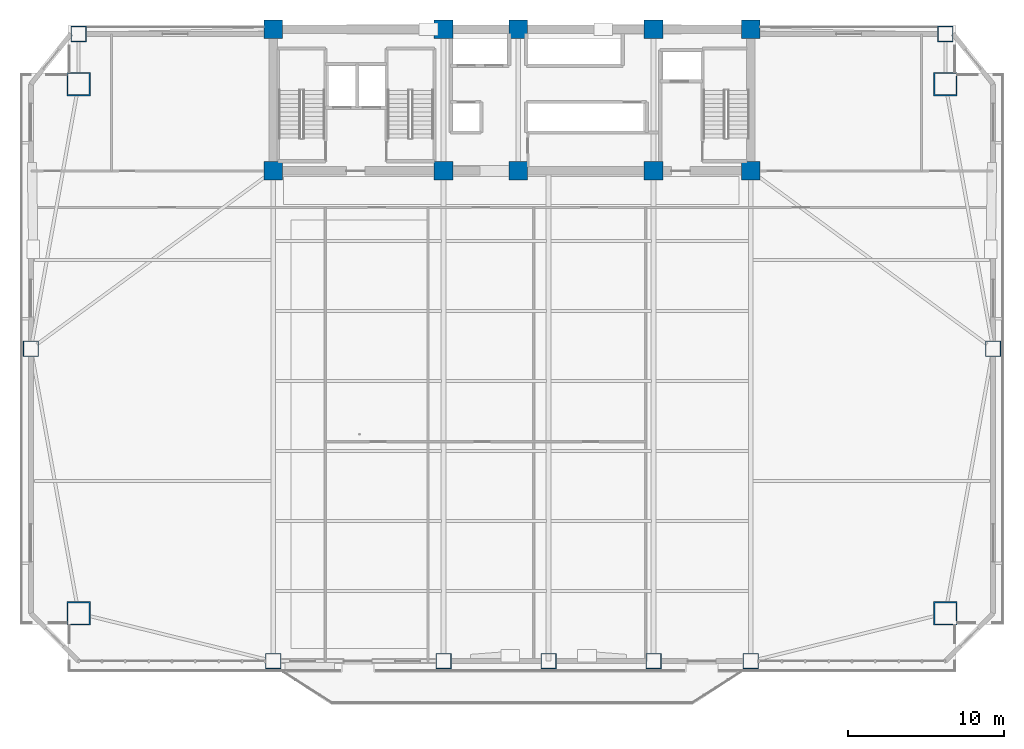
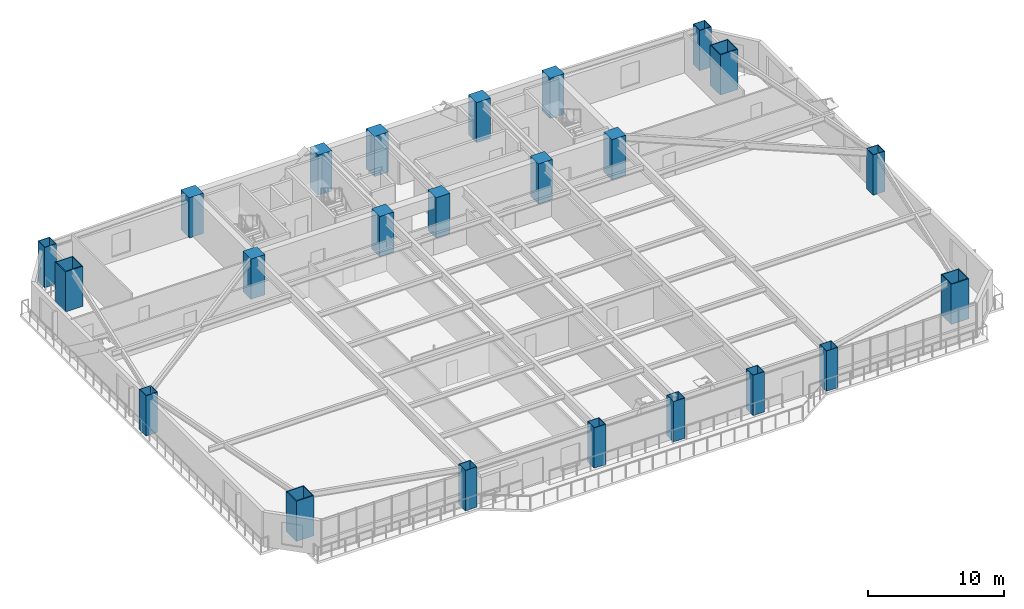
# One storey, part 1 of 16: 23 columns.
"""IFC4 building model written with IfcOpenShell, lengths in metres."""

import ifcopenshell
import ifcopenshell.guid

model = None  # the IFC model being written
_history = None  # IfcOwnerHistory: only IFC2X3 demands one
_inside = {}  # id of a spatial element -> (the spatial element, [elements in it])
_under = {}  # id of a project, library or spatial element -> (it, [spatial elements below it])
_declared = {}  # id of a project -> (the project, [libraries it declares])
_typed = {}  # id of a type object -> (the type object, [elements of that type])
_made_of = {}  # id of a material, layer set ... -> (it, [elements and type objects made of it])


def new_model(schema):
    """Start an empty IFC model of exactly this schema.

    Asked for "IFC4X3", IfcOpenShell would pick the latest addendum, in which some entities
    have other attributes; the version numbers below select the first issue.
    IFC2X3 requires an IfcOwnerHistory on every rooted entity: one is made here for all.
    """
    global model, _history
    if schema == "IFC4X3":
        model = ifcopenshell.file(schema_version=(4, 3, 0, 0))
    else:
        model = ifcopenshell.file(schema=schema)
    _inside.clear()
    _under.clear()
    _declared.clear()
    _typed.clear()
    _made_of.clear()
    _history = None
    if model.schema == "IFC2X3":
        org = make("IfcOrganization", Name="unknown")
        user = make(
            "IfcPersonAndOrganization",
            ThePerson=make("IfcPerson", FamilyName="unknown"),
            TheOrganization=org,
        )
        app = make(
            "IfcApplication",
            ApplicationDeveloper=org,
            Version="unknown",
            ApplicationFullName="unknown",
            ApplicationIdentifier="unknown",
        )
        _history = make(
            "IfcOwnerHistory",
            OwningUser=user,
            OwningApplication=app,
            ChangeAction="ADDED",
            CreationDate=0,
        )
    return model


def make(cls, **values):
    """One entity of the class cls with the attributes given. An attribute that is None is left unset."""
    return model.create_entity(
        cls, **{name: value for name, value in values.items() if value is not None}
    )


def rooted(cls, **values):
    """An entity with a GlobalId (a new one), such as an element, a storey or a relation."""
    return make(cls, GlobalId=ifcopenshell.guid.new(), OwnerHistory=_history, **values)


def si_unit(unit_type, name, prefix=None):
    """IfcSIUnit, for example si_unit("LENGTHUNIT", "METRE", prefix="MILLI")."""
    return make("IfcSIUnit", UnitType=unit_type, Prefix=prefix, Name=name)


def assignment(units):
    """IfcUnitAssignment: the units of a project."""
    return None if units is None else make("IfcUnitAssignment", Units=units)


def point(xyz):
    """IfcCartesianPoint."""
    return None if xyz is None else make("IfcCartesianPoint", Coordinates=xyz)


def direction(xyz):
    """IfcDirection."""
    return None if xyz is None else make("IfcDirection", DirectionRatios=xyz)


def frame(location, z_axis=None, x_axis=None):
    """IfcAxis2Placement3D, a coordinate frame: its origin and axes. An axis left out is left unset."""
    return make(
        "IfcAxis2Placement3D",
        Location=point(location),
        Axis=direction(z_axis),
        RefDirection=direction(x_axis),
    )


def frame_2d(location, x_axis=None):
    """IfcAxis2Placement2D, a coordinate frame in the plane: its origin and x axis."""
    return make(
        "IfcAxis2Placement2D", Location=point(location), RefDirection=direction(x_axis)
    )


def origin():
    """The frame at (0, 0, 0) with its axes left unset."""
    return frame((0.0, 0.0, 0.0))


def origin_2d():
    """The frame at (0, 0) in the plane with its x axis left unset."""
    return frame_2d((0.0, 0.0))


def place(relative_to, where):
    """IfcLocalPlacement: puts the frame where relative to a parent placement (None: the world)."""
    return make(
        "IfcLocalPlacement", PlacementRelTo=relative_to, RelativePlacement=where
    )


def context(
    kind, dimensions, precision=None, world=None, true_north=None, identifier=None
):
    """IfcGeometricRepresentationContext, for example the 3D "Model" context."""
    return make(
        "IfcGeometricRepresentationContext",
        ContextIdentifier=identifier,
        ContextType=kind,
        CoordinateSpaceDimension=dimensions,
        Precision=precision,
        WorldCoordinateSystem=world,
        TrueNorth=true_north,
    )


def subcontext(parent, identifier, kind, view, scale=None):
    """IfcGeometricRepresentationSubContext, for example "Body" below "Model"."""
    return make(
        "IfcGeometricRepresentationSubContext",
        ContextIdentifier=identifier,
        ContextType=kind,
        ParentContext=parent,
        TargetScale=scale,
        TargetView=view,
    )


def project(units=None, contexts=None):
    """IfcProject with its units and contexts."""
    return rooted(
        "IfcProject",
        Name="project",
        RepresentationContexts=contexts,
        UnitsInContext=assignment(units),
    )


def spatial(cls, under=None, at=None, **own):
    """A site, building, storey or space (cls), placed at a placement, below another one or the project."""
    s = rooted(cls, ObjectPlacement=at, **own)
    if under is not None:
        _under.setdefault(under.id(), (under, []))[1].append(s)
    return s


def profile(cls, at=None, kind="AREA", **sizes):
    """A parametric profile (cls). Its sizes go by their IFC names, for example OverallWidth=200.0."""
    return make(cls, ProfileType=kind, Position=at, **sizes)


def rectangle(**sizes):
    """IfcRectangleProfileDef."""
    return profile("IfcRectangleProfileDef", **sizes)


def hollow_rectangle(**sizes):
    """IfcRectangleHollowProfileDef."""
    return profile("IfcRectangleHollowProfileDef", **sizes)


def extrude(swept, where, along, depth):
    """IfcExtrudedAreaSolid: the profile swept, set in the frame where, extruded along a direction by depth."""
    return make(
        "IfcExtrudedAreaSolid",
        SweptArea=swept,
        Position=where,
        ExtrudedDirection=direction(along),
        Depth=depth,
    )


def shape(context_of_items, identifier, shape_type, items):
    """IfcShapeRepresentation: the items that make up one representation, for example the "Body"."""
    return make(
        "IfcShapeRepresentation",
        ContextOfItems=context_of_items,
        RepresentationIdentifier=identifier,
        RepresentationType=shape_type,
        Items=items,
    )


def source(mapping_origin, context_of_items, identifier, shape_type, items):
    """IfcRepresentationMap: a shape defined once, which mapped items show again and again."""
    return make(
        "IfcRepresentationMap",
        MappingOrigin=mapping_origin,
        MappedRepresentation=shape(context_of_items, identifier, shape_type, items),
    )


def transform(
    local_origin,
    x_axis=None,
    y_axis=None,
    z_axis=None,
    scale=None,
    scale2=None,
    scale3=None,
    uniform=True,
):
    """IfcCartesianTransformationOperator3D, or its non-uniform kind. x_axis, y_axis, z_axis: its Axis1, 2, 3."""
    if uniform:
        return make(
            "IfcCartesianTransformationOperator3D",
            Axis1=direction(x_axis),
            Axis2=direction(y_axis),
            LocalOrigin=point(local_origin),
            Scale=scale,
            Axis3=direction(z_axis),
        )
    return make(
        "IfcCartesianTransformationOperator3DnonUniform",
        Axis1=direction(x_axis),
        Axis2=direction(y_axis),
        LocalOrigin=point(local_origin),
        Scale=scale,
        Axis3=direction(z_axis),
        Scale2=scale2,
        Scale3=scale3,
    )


def mapped(mapping_source, mapping_target):
    """IfcMappedItem: shows the shape of a source again, moved by a transform."""
    return make(
        "IfcMappedItem", MappingSource=mapping_source, MappingTarget=mapping_target
    )


def material(Name=None, Category=None):
    """IfcMaterial."""
    return make("IfcMaterial", Name=Name, Category=Category)


def material_profile(
    of_material, cross_section, Name=None, Category=None, Priority=None
):
    """IfcMaterialProfile: a cross section and its material."""
    return make(
        "IfcMaterialProfile",
        Name=Name,
        Material=of_material,
        Profile=cross_section,
        Priority=Priority,
        Category=Category,
    )


def profile_set(profiles, Name=None, composite=None):
    """IfcMaterialProfileSet."""
    return make(
        "IfcMaterialProfileSet",
        Name=Name,
        MaterialProfiles=profiles,
        CompositeProfile=composite,
    )


def made_of(thing, what):
    """Note that an element or type object is made of a material, layer set ...; save() writes the relation."""
    if what is not None:
        _made_of.setdefault(what.id(), (what, []))[1].append(thing)
    return thing


def type_object(cls, material=None, **own):
    """A type object (cls), such as IfcWallType, which elements share."""
    return made_of(rooted(cls, **own), material)


def element(
    cls,
    number,
    at=None,
    inside=None,
    cuts=None,
    type_object=None,
    material=None,
    context=None,
    identifier="Body",
    shape_type=None,
    held_by="IfcProductDefinitionShape",
    body=None,
    shapes=None,
    **own,
):
    """One element of the class cls, such as IfcWall. Its Tag is "e" and its number.

    at: its placement. inside: the storey or other place that contains it. cuts: it is an
    opening in that element (IfcRelVoidsElement). A single representation is given by context,
    identifier, shape_type and body (its items); several are given by shapes. held_by: the class
    of the entity that holds the representations. save() writes the other relations.
    """
    e = rooted(cls, Tag="e%d" % number, ObjectPlacement=at, **own)
    if body is not None:
        shapes = [shape(context, identifier, shape_type, body)]
    if shapes is not None:
        e.Representation = make(held_by, Representations=shapes)
    if inside is not None:
        _inside.setdefault(inside.id(), (inside, []))[1].append(e)
    if cuts is not None:
        rooted(
            "IfcRelVoidsElement", RelatingBuildingElement=cuts, RelatedOpeningElement=e
        )
    if type_object is not None:
        _typed.setdefault(type_object.id(), (type_object, []))[1].append(e)
    return made_of(e, material)


def aggregate(whole, parts):
    """IfcRelAggregates: a whole, such as a stair, and the parts it consists of."""
    return rooted("IfcRelAggregates", RelatingObject=whole, RelatedObjects=parts)


def save(model, path):
    """Write the relations noted so far, then the file.

    IfcRelAggregates (storeys below a building ...), IfcRelContainedInSpatialStructure (elements
    in a storey), IfcRelDefinesByType, IfcRelAssociatesMaterial and IfcRelDeclares: one each for
    every whole, place, type object, material and project.
    """
    for whole, parts in _under.values():
        aggregate(whole, parts)
    for where, things in _inside.values():
        rooted(
            "IfcRelContainedInSpatialStructure",
            RelatedElements=things,
            RelatingStructure=where,
        )
    for kind, things in _typed.values():
        rooted("IfcRelDefinesByType", RelatedObjects=things, RelatingType=kind)
    for what, things in _made_of.values():
        rooted("IfcRelAssociatesMaterial", RelatedObjects=things, RelatingMaterial=what)
    for by, libraries in _declared.values():
        rooted("IfcRelDeclares", RelatingContext=by, RelatedDefinitions=libraries)
    model.write(path)


model = new_model("IFC4")

# Units and contexts
model_context = context("Model", 3, precision=1e-05, world=origin(), true_north=direction((0.0, 1.0)))
body_context = subcontext(model_context, "Body", "Model", "MODEL_VIEW")
ifc_project = project(units=[si_unit("LENGTHUNIT", "METRE"), si_unit("AREAUNIT", "SQUARE_METRE"), si_unit("VOLUMEUNIT", "CUBIC_METRE"), si_unit("PLANEANGLEUNIT", "RADIAN"), si_unit("MASSUNIT", "GRAM", prefix="KILO")], contexts=[model_context])

# Site, building, storey
site_placement = place(None, origin())
site = spatial("IfcSite", under=ifc_project, at=site_placement, CompositionType="ELEMENT")
building_placement = place(site_placement, origin())
building = spatial("IfcBuilding", under=site, at=building_placement, Name="Giltprow Tower", CompositionType="ELEMENT")
storey_placement = place(building_placement, frame((0.0, 0.0, 91.300048828125)))
storey = spatial("IfcBuildingStorey", under=building, at=storey_placement, Name="L22", CompositionType="ELEMENT", Elevation=91.300048828125)

# Columns
ifc_material_1 = material(Name="Concrete C60", Category="concrete")
ifc_material_profile_1 = material_profile(ifc_material_1, rectangle(XDim=1.199951171875, YDim=1.199951171875, at=origin_2d()), Name="RC 1200x1200")
ifc_profile_set_1 = profile_set([ifc_material_profile_1], Name="Concrete C60")
column_type_1 = type_object("IfcColumnType", Name="PIL-RC-1200-C60", PredefinedType="PILASTER", material=ifc_profile_set_1)
shared_shape_1 = source(origin(), body_context, "Body", "SweptSolid", [
    extrude(rectangle(XDim=1.199951171875, YDim=1.199951171875, at=origin_2d()), origin(), (0.0, 0.0, 1.0), 3.619873046875),
])
for number, where, z_axis, x_axis, name in (
    (1, (19.85009765625, 37.449951171875, 0.0), (0.0, 0.0, 1.0), (1.0, 0.0, 0.0), "L22 Core Boundary Pilaster 1-1"),
    (2, (19.85009765625, 46.550048828125, 0.0), (0.0, 0.0, 1.0), (1.0, 0.0, 0.0), "L22 Core Boundary Pilaster 1-2"),
    (3, (30.800048828125, 37.449951171875, 0.0), (0.0, 0.0, 1.0), (1.0, 0.0, 0.0), "L22 Core Boundary Pilaster 2-1"),
    (4, (30.800048828125, 46.550048828125, 0.0), (0.0, 0.0, 1.0), (1.0, 0.0, 0.0), "L22 Core Boundary Pilaster 2-2"),
    (5, (35.60009765625, 37.449951171875, 0.0), (0.0, 0.0, 1.0), (1.0, 0.0, 0.0), "L22 Core Boundary Pilaster 3-1"),
    (6, (35.60009765625, 46.550048828125, 0.0), (0.0, 0.0, 1.0), (1.0, 0.0, 0.0), "L22 Core Boundary Pilaster 3-2"),
    (7, (44.300048828125, 37.449951171875, 0.0), (0.0, 0.0, 1.0), (1.0, 0.0, 0.0), "L22 Core Boundary Pilaster 4-1"),
    (8, (44.300048828125, 46.550048828125, 0.0), (0.0, 0.0, 1.0), (1.0, 0.0, 0.0), "L22 Core Boundary Pilaster 4-2"),
    (9, (50.550048828125, 37.449951171875, 0.0), (0.0, 0.0, 1.0), (1.0, 0.0, 0.0), "L22 Core Boundary Pilaster 5-1"),
    (10, (50.550048828125, 46.550048828125, 0.0), (0.0, 0.0, 1.0), (1.0, 0.0, 0.0), "L22 Core Boundary Pilaster 5-2"),
):
    element("IfcColumn", number, at=place(storey_placement, frame(where, z_axis=z_axis, x_axis=x_axis)), inside=storey, type_object=column_type_1, Name=name, PredefinedType="PILASTER", context=body_context, shape_type="MappedRepresentation", body=[
        mapped(shared_shape_1, transform((0.0, 0.0, 0.0), x_axis=(1.0, 0.0, 0.0), y_axis=(0.0, 1.0, 0.0), z_axis=(0.0, 0.0, 1.0), scale=1.0)),
    ])
ifc_material_2 = material(Name="Structural steel Q420GJC", Category="steel")
ifc_material_profile_2 = material_profile(ifc_material_2, hollow_rectangle(XDim=1.5, YDim=1.5, WallThickness=0.070068359375, at=origin_2d()), Name="BOX 1500x1500x70")
ifc_profile_set_2 = profile_set([ifc_material_profile_2], Name="Structural steel Q420GJC")
column_type_2 = type_object("IfcColumnType", Name="COL-BOX-1500x1500x70", PredefinedType="COLUMN", material=ifc_profile_set_2)
shared_shape_2 = source(origin(), body_context, "Body", "SweptSolid", [
    extrude(hollow_rectangle(XDim=1.5, YDim=1.5, WallThickness=0.070068359375, at=origin_2d()), origin(), (0.0, 0.0, 1.0), 3.619873046875),
])
for number, where, z_axis, x_axis, name in (
    (11, (7.344970703125, 9.006103515625, 0.0), (0.0, 0.0, 1.0), (1.0, 0.0, 0.0), "L22 Mega-Column MC_SW"),
    (12, (63.055908203125, 9.006103515625, 0.0), (0.0, 0.0, 1.0), (1.0, 0.0, 0.0), "L22 Mega-Column MC_SE"),
    (13, (7.344970703125, 43.030029296875, 0.0), (0.0, 0.0, 1.0), (1.0, 0.0, 0.0), "L22 Mega-Column MC_NW"),
    (14, (63.055908203125, 43.030029296875, 0.0), (0.0, 0.0, 1.0), (1.0, 0.0, 0.0), "L22 Mega-Column MC_NE"),
):
    element("IfcColumn", number, at=place(storey_placement, frame(where, z_axis=z_axis, x_axis=x_axis)), inside=storey, type_object=column_type_2, Name=name, PredefinedType="COLUMN", context=body_context, shape_type="MappedRepresentation", body=[
        mapped(shared_shape_2, transform((0.0, 0.0, 0.0), x_axis=(1.0, 0.0, 0.0), y_axis=(0.0, 1.0, 0.0), z_axis=(0.0, 0.0, 1.0), scale=1.0)),
    ])
ifc_material_profile_3 = material_profile(ifc_material_2, hollow_rectangle(XDim=1.0, YDim=1.0, WallThickness=0.044921875, at=origin_2d()), Name="BOX 1000x1000x45")
ifc_profile_set_3 = profile_set([ifc_material_profile_3], Name="Structural steel Q420GJC")
column_type_3 = type_object("IfcColumnType", Name="COL-BOX-1000x1000x45", PredefinedType="COLUMN", material=ifc_profile_set_3)
shared_shape_3 = source(origin(), body_context, "Body", "SweptSolid", [
    extrude(hollow_rectangle(XDim=1.0, YDim=1.0, WallThickness=0.044921875, at=origin_2d()), origin(), (0.0, 0.0, 1.0), 3.619873046875),
])
for number, where, z_axis, x_axis, name in (
    (15, (19.85009765625, 5.93603515625, 0.0), (0.0, 0.0, 1.0), (1.0, 0.0, 0.0), "L22 Perimeter Column S1"),
    (16, (30.800048828125, 5.93603515625, 0.0), (0.0, 0.0, 1.0), (1.0, 0.0, 0.0), "L22 Perimeter Column S2"),
    (17, (37.550048828125, 5.93603515625, 0.0), (0.0, 0.0, 1.0), (1.0, 0.0, 0.0), "L22 Perimeter Column S_MID"),
    (18, (44.300048828125, 5.93603515625, 0.0), (0.0, 0.0, 1.0), (1.0, 0.0, 0.0), "L22 Perimeter Column S3"),
    (19, (50.550048828125, 5.93603515625, 0.0), (0.0, 0.0, 1.0), (1.0, 0.0, 0.0), "L22 Perimeter Column S4"),
    (20, (4.27490234375, 26.01806640625, 0.0), (0.0, 0.0, 1.0), (1.0, 0.0, 0.0), "L22 Perimeter Column W_MID"),
    (21, (66.1259765625, 26.01806640625, 0.0), (0.0, 0.0, 1.0), (1.0, 0.0, 0.0), "L22 Perimeter Column E_MID"),
    (22, (7.344970703125, 46.25, 0.0), (0.0, 0.0, 1.0), (1.0, 0.0, 0.0), "L22 Perimeter Column N_W"),
    (23, (63.055908203125, 46.25, 0.0), (0.0, 0.0, 1.0), (1.0, 0.0, 0.0), "L22 Perimeter Column N_E"),
):
    element("IfcColumn", number, at=place(storey_placement, frame(where, z_axis=z_axis, x_axis=x_axis)), inside=storey, type_object=column_type_3, Name=name, PredefinedType="COLUMN", context=body_context, shape_type="MappedRepresentation", body=[
        mapped(shared_shape_3, transform((0.0, 0.0, 0.0), x_axis=(1.0, 0.0, 0.0), y_axis=(0.0, 1.0, 0.0), z_axis=(0.0, 0.0, 1.0), scale=1.0)),
    ])

save(model, "model.ifc")
